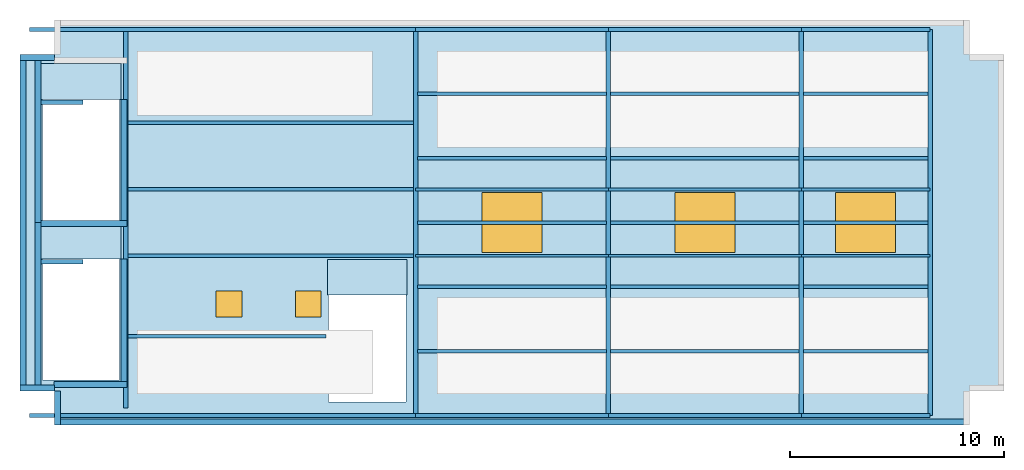
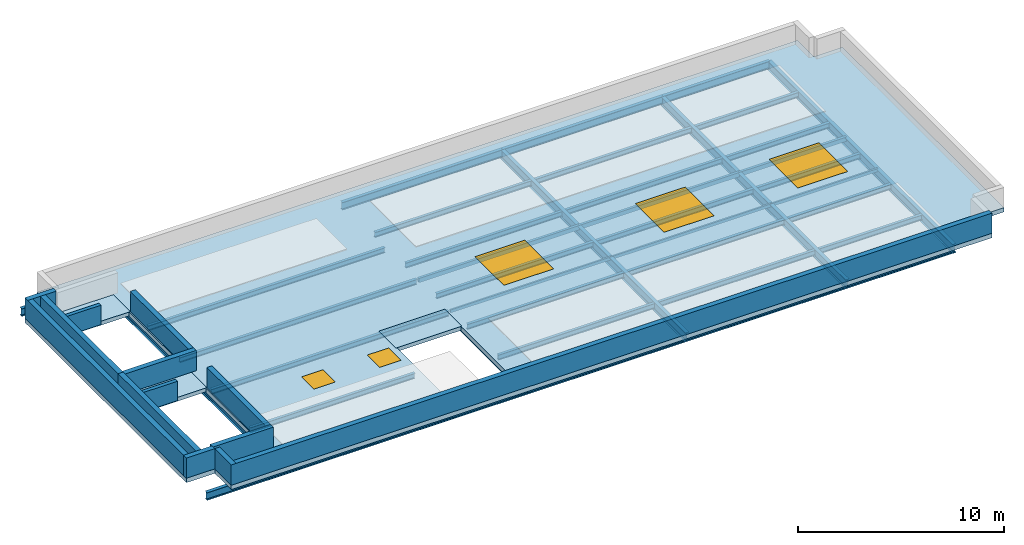
"""IFC4 building model written with IfcOpenShell, lengths in metres."""

from ifc_helpers import new_model, si_unit, direction, frame, frame_2d, origin, origin_2d, place, context, subcontext, project, spatial, polyline, rectangle, hollow_rectangle, i_section, outline, extrude, material, layer, layer_set, material_profile, profile_set, type_object, element, fill, save


model = new_model("IFC4")

# Units and contexts
model_context = context("Model", 3, precision=1e-05, world=origin(), true_north=direction((0.0, 1.0)))
body_context = subcontext(model_context, "Body", "Model", "MODEL_VIEW")
ifc_project = project(units=[si_unit("LENGTHUNIT", "METRE"), si_unit("AREAUNIT", "SQUARE_METRE"), si_unit("VOLUMEUNIT", "CUBIC_METRE"), si_unit("PLANEANGLEUNIT", "RADIAN"), si_unit("MASSUNIT", "GRAM", prefix="KILO")], contexts=[model_context])

# Site, building, storey
site_placement = place(None, origin())
site = spatial("IfcSite", under=ifc_project, at=site_placement, CompositionType="ELEMENT")
building_placement = place(site_placement, origin())
building = spatial("IfcBuilding", under=site, at=building_placement, Name="Mawjdan Bourse Tower", CompositionType="ELEMENT")
storey_1_placement = place(building_placement, frame((0.0, 0.0, 322.199951171875)))
storey_1 = spatial("IfcBuildingStorey", under=building, at=storey_1_placement, Name="RF", CompositionType="ELEMENT", Elevation=322.199951171875)

# Beams
ifc_material_1 = material(Name="Structural Steel S355", Category="steel")
ifc_material_profile_1 = material_profile(ifc_material_1, i_section(OverallWidth=0.2099609375, OverallDepth=0.537109375, WebThickness=0.010986328125, FlangeThickness=0.017333984375, FilletRadius=0.013916015625, at=origin_2d()), Name="W21X68")
ifc_profile_set_1 = profile_set([ifc_material_profile_1], Name="Structural Steel S355")
beam_type_1 = type_object("IfcBeamType", Name="GRD-W21X68", PredefinedType="BEAM", material=ifc_profile_set_1)
beam_1_placement = place(storey_1_placement, frame((10.47998046875, 3.35009765625, -0.528564453125), z_axis=(0.0, 1.0, 0.0), x_axis=(-1.0, 0.0, 0.0)))
element("IfcBeam", 1, at=beam_1_placement, inside=storey_1, type_object=beam_type_1, Name="RF Core Stair Trimmer Girder 001", PredefinedType="BEAM", context=body_context, shape_type="SweptSolid", body=[
    extrude(i_section(OverallWidth=0.2099609375, OverallDepth=0.537109375, WebThickness=0.010986328125, FlangeThickness=0.017333984375, FilletRadius=0.013916015625, at=origin_2d()), origin(), (0.0, 0.0, 1.0), 17.556884765625),
])
for number, where, z_axis, x_axis, name in (
    (2, (24.0, 3.0, -0.528564453125), (0.0, 1.0, 0.0), (-1.0, 0.0, 0.0), "RF RF Core East Edge Girder 002"),
    (3, (33.0, 3.0, -0.528564453125), (0.0, 1.0, 0.0), (-1.0, 0.0, 0.0), "RF East Wing Clear-Span Girder 005"),
    (4, (42.0, 3.0, -0.528564453125), (0.0, 1.0, 0.0), (-1.0, 0.0, 0.0), "RF East Wing Clear-Span Girder 006"),
    (5, (48.0, 3.0, -0.528564453125), (0.0, 1.0, 0.0), (-1.0, 0.0, 0.0), "RF East Wing Clear-Span Girder 007"),
):
    element("IfcBeam", number, at=place(storey_1_placement, frame(where, z_axis=z_axis, x_axis=x_axis)), inside=storey_1, type_object=beam_type_1, Name=name, PredefinedType="BEAM", context=body_context, shape_type="SweptSolid", body=[
        extrude(i_section(OverallWidth=0.2099609375, OverallDepth=0.537109375, WebThickness=0.010986328125, FlangeThickness=0.017333984375, FilletRadius=0.013916015625, at=origin_2d()), origin(), (0.0, 0.0, 1.0), 18.0),
    ])
ifc_material_profile_2 = material_profile(ifc_material_1, i_section(OverallWidth=0.1650390625, OverallDepth=0.31005859375, WebThickness=0.005859375, FlangeThickness=0.009765625, FilletRadius=0.0078125, at=origin_2d()), Name="W12X26")
ifc_profile_set_2 = profile_set([ifc_material_profile_2], Name="Structural Steel S355")
beam_type_2 = type_object("IfcBeamType", Name="JST-W12X26", PredefinedType="JOIST", material=ifc_profile_set_2)
for number, where, z_axis, x_axis, name in (
    (6, (24.10302734375, 6.0, -0.4150390625), (1.0, 0.0, 0.0), (0.0, 1.0, 0.0), "RF East Wing Composite Joist 014"),
    (7, (33.10302734375, 6.0, -0.4150390625), (1.0, 0.0, 0.0), (0.0, 1.0, 0.0), "RF East Wing Composite Joist 015"),
):
    element("IfcBeam", number, at=place(storey_1_placement, frame(where, z_axis=z_axis, x_axis=x_axis)), inside=storey_1, type_object=beam_type_2, Name=name, PredefinedType="JOIST", context=body_context, shape_type="SweptSolid", body=[
        extrude(i_section(OverallWidth=0.1650390625, OverallDepth=0.31005859375, WebThickness=0.005859375, FlangeThickness=0.009765625, FilletRadius=0.0078125, at=origin_2d()), origin(), (0.0, 0.0, 1.0), 8.7939453125),
    ])
beam_2_placement = place(storey_1_placement, frame((42.10302734375, 6.0, -0.4150390625), z_axis=(1.0, 0.0, 0.0), x_axis=(0.0, 1.0, 0.0)))
element("IfcBeam", 8, at=beam_2_placement, inside=storey_1, type_object=beam_type_2, Name="RF East Wing Composite Joist 016", PredefinedType="JOIST", context=body_context, shape_type="SweptSolid", body=[
    extrude(i_section(OverallWidth=0.1650390625, OverallDepth=0.31005859375, WebThickness=0.005859375, FlangeThickness=0.009765625, FilletRadius=0.0078125, at=origin_2d()), origin(), (0.0, 0.0, 1.0), 5.7939453125),
])
for number, where, z_axis, x_axis, name in (
    (9, (24.10302734375, 9.0, -0.4150390625), (1.0, 0.0, 0.0), (0.0, 1.0, 0.0), "RF East Wing Composite Joist 017"),
    (10, (33.10302734375, 9.0, -0.4150390625), (1.0, 0.0, 0.0), (0.0, 1.0, 0.0), "RF East Wing Composite Joist 018"),
):
    element("IfcBeam", number, at=place(storey_1_placement, frame(where, z_axis=z_axis, x_axis=x_axis)), inside=storey_1, type_object=beam_type_2, Name=name, PredefinedType="JOIST", context=body_context, shape_type="SweptSolid", body=[
        extrude(i_section(OverallWidth=0.1650390625, OverallDepth=0.31005859375, WebThickness=0.005859375, FlangeThickness=0.009765625, FilletRadius=0.0078125, at=origin_2d()), origin(), (0.0, 0.0, 1.0), 8.7939453125),
    ])
beam_3_placement = place(storey_1_placement, frame((42.10302734375, 9.0, -0.4150390625), z_axis=(1.0, 0.0, 0.0), x_axis=(0.0, 1.0, 0.0)))
element("IfcBeam", 11, at=beam_3_placement, inside=storey_1, type_object=beam_type_2, Name="RF East Wing Composite Joist 019", PredefinedType="JOIST", context=body_context, shape_type="SweptSolid", body=[
    extrude(i_section(OverallWidth=0.1650390625, OverallDepth=0.31005859375, WebThickness=0.005859375, FlangeThickness=0.009765625, FilletRadius=0.0078125, at=origin_2d()), origin(), (0.0, 0.0, 1.0), 5.7939453125),
])
for number, where, z_axis, x_axis, name in (
    (12, (24.10302734375, 12.0, -0.4150390625), (1.0, 0.0, 0.0), (0.0, 1.0, 0.0), "RF East Wing Composite Joist 020"),
    (13, (33.10302734375, 12.0, -0.4150390625), (1.0, 0.0, 0.0), (0.0, 1.0, 0.0), "RF East Wing Composite Joist 021"),
):
    element("IfcBeam", number, at=place(storey_1_placement, frame(where, z_axis=z_axis, x_axis=x_axis)), inside=storey_1, type_object=beam_type_2, Name=name, PredefinedType="JOIST", context=body_context, shape_type="SweptSolid", body=[
        extrude(i_section(OverallWidth=0.1650390625, OverallDepth=0.31005859375, WebThickness=0.005859375, FlangeThickness=0.009765625, FilletRadius=0.0078125, at=origin_2d()), origin(), (0.0, 0.0, 1.0), 8.7939453125),
    ])
beam_4_placement = place(storey_1_placement, frame((42.10302734375, 12.0, -0.4150390625), z_axis=(1.0, 0.0, 0.0), x_axis=(0.0, 1.0, 0.0)))
element("IfcBeam", 14, at=beam_4_placement, inside=storey_1, type_object=beam_type_2, Name="RF East Wing Composite Joist 022", PredefinedType="JOIST", context=body_context, shape_type="SweptSolid", body=[
    extrude(i_section(OverallWidth=0.1650390625, OverallDepth=0.31005859375, WebThickness=0.005859375, FlangeThickness=0.009765625, FilletRadius=0.0078125, at=origin_2d()), origin(), (0.0, 0.0, 1.0), 5.7939453125),
])
for number, where, z_axis, x_axis, name in (
    (15, (24.10302734375, 15.0, -0.4150390625), (1.0, 0.0, 0.0), (0.0, 1.0, 0.0), "RF East Wing Composite Joist 023"),
    (16, (33.10302734375, 15.0, -0.4150390625), (1.0, 0.0, 0.0), (0.0, 1.0, 0.0), "RF East Wing Composite Joist 024"),
):
    element("IfcBeam", number, at=place(storey_1_placement, frame(where, z_axis=z_axis, x_axis=x_axis)), inside=storey_1, type_object=beam_type_2, Name=name, PredefinedType="JOIST", context=body_context, shape_type="SweptSolid", body=[
        extrude(i_section(OverallWidth=0.1650390625, OverallDepth=0.31005859375, WebThickness=0.005859375, FlangeThickness=0.009765625, FilletRadius=0.0078125, at=origin_2d()), origin(), (0.0, 0.0, 1.0), 8.7939453125),
    ])
beam_5_placement = place(storey_1_placement, frame((42.10302734375, 15.0, -0.4150390625), z_axis=(1.0, 0.0, 0.0), x_axis=(0.0, 1.0, 0.0)))
element("IfcBeam", 17, at=beam_5_placement, inside=storey_1, type_object=beam_type_2, Name="RF East Wing Composite Joist 025", PredefinedType="JOIST", context=body_context, shape_type="SweptSolid", body=[
    extrude(i_section(OverallWidth=0.1650390625, OverallDepth=0.31005859375, WebThickness=0.005859375, FlangeThickness=0.009765625, FilletRadius=0.0078125, at=origin_2d()), origin(), (0.0, 0.0, 1.0), 5.7939453125),
])
for number, where, z_axis, x_axis, name in (
    (18, (24.10302734375, 18.0, -0.4150390625), (1.0, 0.0, 0.0), (0.0, 1.0, 0.0), "RF East Wing Composite Joist 026"),
    (19, (33.10302734375, 18.0, -0.4150390625), (1.0, 0.0, 0.0), (0.0, 1.0, 0.0), "RF East Wing Composite Joist 027"),
):
    element("IfcBeam", number, at=place(storey_1_placement, frame(where, z_axis=z_axis, x_axis=x_axis)), inside=storey_1, type_object=beam_type_2, Name=name, PredefinedType="JOIST", context=body_context, shape_type="SweptSolid", body=[
        extrude(i_section(OverallWidth=0.1650390625, OverallDepth=0.31005859375, WebThickness=0.005859375, FlangeThickness=0.009765625, FilletRadius=0.0078125, at=origin_2d()), origin(), (0.0, 0.0, 1.0), 8.7939453125),
    ])
beam_6_placement = place(storey_1_placement, frame((42.10302734375, 18.0, -0.4150390625), z_axis=(1.0, 0.0, 0.0), x_axis=(0.0, 1.0, 0.0)))
element("IfcBeam", 20, at=beam_6_placement, inside=storey_1, type_object=beam_type_2, Name="RF East Wing Composite Joist 028", PredefinedType="JOIST", context=body_context, shape_type="SweptSolid", body=[
    extrude(i_section(OverallWidth=0.1650390625, OverallDepth=0.31005859375, WebThickness=0.005859375, FlangeThickness=0.009765625, FilletRadius=0.0078125, at=origin_2d()), origin(), (0.0, 0.0, 1.0), 5.7939453125),
])
beam_7_placement = place(storey_1_placement, frame((10.5830078125, 6.699951171875, -0.4150390625), z_axis=(1.0, 0.0, 0.0), x_axis=(0.0, 1.0, 0.0)))
element("IfcBeam", 21, at=beam_7_placement, inside=storey_1, type_object=beam_type_2, Name="RF Core Floor Joist 029", PredefinedType="JOIST", context=body_context, shape_type="SweptSolid", body=[
    extrude(i_section(OverallWidth=0.1650390625, OverallDepth=0.31005859375, WebThickness=0.005859375, FlangeThickness=0.009765625, FilletRadius=0.0078125, at=origin_2d()), origin(), (0.0, 0.0, 1.0), 9.2470703125),
])
for number, where, z_axis, x_axis, name in (
    (22, (10.5830078125, 10.449951171875, -0.4150390625), (1.0, 0.0, 0.0), (0.0, 1.0, 0.0), "RF Core Floor Joist 030"),
    (23, (10.5830078125, 13.550048828125, -0.4150390625), (1.0, 0.0, 0.0), (0.0, 1.0, 0.0), "RF Core Floor Joist 031"),
    (24, (10.5830078125, 16.64990234375, -0.4150390625), (1.0, 0.0, 0.0), (0.0, 1.0, 0.0), "RF Core Floor Joist 032"),
):
    element("IfcBeam", number, at=place(storey_1_placement, frame(where, z_axis=z_axis, x_axis=x_axis)), inside=storey_1, type_object=beam_type_2, Name=name, PredefinedType="JOIST", context=body_context, shape_type="SweptSolid", body=[
        extrude(i_section(OverallWidth=0.1650390625, OverallDepth=0.31005859375, WebThickness=0.005859375, FlangeThickness=0.009765625, FilletRadius=0.0078125, at=origin_2d()), origin(), (0.0, 0.0, 1.0), 13.31396484375),
    ])

# Members
ifc_material_profile_3 = material_profile(ifc_material_1, hollow_rectangle(XDim=0.10009765625, YDim=0.179931640625, WallThickness=0.008056640625, at=origin_2d()), Name="HSS180X100X8")
ifc_profile_set_3 = profile_set([ifc_material_profile_3], Name="Structural Steel S355")
member_type_1 = type_object("IfcMemberType", Name="PRL-HSS180X100X8", PredefinedType="PURLIN", material=ifc_profile_set_3)
for number, where, z_axis, x_axis, name in (
    (25, (24.0, 10.449951171875, -0.349853515625), (1.0, 0.0, 0.0), (0.0, 1.0, 0.0), "RF Skylight Support Purlin 1"),
    (26, (33.0, 10.449951171875, -0.349853515625), (1.0, 0.0, 0.0), (0.0, 1.0, 0.0), "RF Skylight Support Purlin 2"),
):
    element("IfcMember", number, at=place(storey_1_placement, frame(where, z_axis=z_axis, x_axis=x_axis)), inside=storey_1, type_object=member_type_1, Name=name, PredefinedType="PURLIN", context=body_context, shape_type="SweptSolid", body=[
        extrude(hollow_rectangle(XDim=0.10009765625, YDim=0.179931640625, WallThickness=0.008056640625, at=origin_2d()), origin(), (0.0, 0.0, 1.0), 9.0),
    ])
member_1_placement = place(storey_1_placement, frame((42.0, 10.449951171875, -0.349853515625), z_axis=(1.0, 0.0, 0.0), x_axis=(0.0, 1.0, 0.0)))
element("IfcMember", 27, at=member_1_placement, inside=storey_1, type_object=member_type_1, Name="RF Skylight Support Purlin 3", PredefinedType="PURLIN", context=body_context, shape_type="SweptSolid", body=[
    extrude(hollow_rectangle(XDim=0.10009765625, YDim=0.179931640625, WallThickness=0.008056640625, at=origin_2d()), origin(), (0.0, 0.0, 1.0), 6.0),
])
ifc_material_profile_4 = material_profile(ifc_material_1, hollow_rectangle(XDim=0.14990234375, YDim=0.25, WallThickness=0.010009765625, at=origin_2d()), Name="HSS250X150X10")
ifc_profile_set_4 = profile_set([ifc_material_profile_4], Name="Structural Steel S355")
member_type_2 = type_object("IfcMemberType", Name="PRL-HSS250X150X10", PredefinedType="PURLIN", material=ifc_profile_set_4)
for number, where, z_axis, x_axis, name in (
    (28, (24.0, 13.550048828125, -0.385009765625), (1.0, 0.0, 0.0), (0.0, 1.0, 0.0), "RF Skylight Support Purlin 1"),
    (29, (33.0, 13.550048828125, -0.385009765625), (1.0, 0.0, 0.0), (0.0, 1.0, 0.0), "RF Skylight Support Purlin 2"),
):
    element("IfcMember", number, at=place(storey_1_placement, frame(where, z_axis=z_axis, x_axis=x_axis)), inside=storey_1, type_object=member_type_2, Name=name, PredefinedType="PURLIN", context=body_context, shape_type="SweptSolid", body=[
        extrude(hollow_rectangle(XDim=0.14990234375, YDim=0.25, WallThickness=0.010009765625, at=origin_2d()), origin(), (0.0, 0.0, 1.0), 9.0),
    ])
member_2_placement = place(storey_1_placement, frame((42.0, 13.550048828125, -0.385009765625), z_axis=(1.0, 0.0, 0.0), x_axis=(0.0, 1.0, 0.0)))
element("IfcMember", 30, at=member_2_placement, inside=storey_1, type_object=member_type_2, Name="RF Skylight Support Purlin 3", PredefinedType="PURLIN", context=body_context, shape_type="SweptSolid", body=[
    extrude(hollow_rectangle(XDim=0.14990234375, YDim=0.25, WallThickness=0.010009765625, at=origin_2d()), origin(), (0.0, 0.0, 1.0), 6.0),
])

# Beams
ifc_material_profile_5 = material_profile(ifc_material_1, i_section(OverallWidth=0.18994140625, OverallDepth=0.45703125, WebThickness=0.009033203125, FlangeThickness=0.014404296875, FilletRadius=0.01171875, at=origin_2d()), Name="W18X50")
ifc_profile_set_5 = profile_set([ifc_material_profile_5], Name="Structural Steel S355")
beam_type_3 = type_object("IfcBeamType", Name="SPN-W18X50", PredefinedType="SPANDREL", material=ifc_profile_set_5)
for number, where, z_axis, x_axis, name in (
    (31, (6.0, 3.0, -0.488525390625), (1.0, 0.0, 0.0), (0.0, 1.0, 0.0), "RF RF Core South Spandrel 003"),
    (32, (6.0, 21.0, -0.488525390625), (1.0, 0.0, 0.0), (0.0, 1.0, 0.0), "RF RF Core North Spandrel 004"),
):
    element("IfcBeam", number, at=place(storey_1_placement, frame(where, z_axis=z_axis, x_axis=x_axis)), inside=storey_1, type_object=beam_type_3, Name=name, PredefinedType="SPANDREL", context=body_context, shape_type="SweptSolid", body=[
        extrude(i_section(OverallWidth=0.18994140625, OverallDepth=0.45703125, WebThickness=0.009033203125, FlangeThickness=0.014404296875, FilletRadius=0.01171875, at=origin_2d()), origin(), (0.0, 0.0, 1.0), 18.0),
    ])
for number, where, z_axis, x_axis, name in (
    (33, (24.0, 3.0, -0.488525390625), (1.0, 0.0, 0.0), (0.0, 1.0, 0.0), "RF Perimeter Masonry-Shelf Spandrel 008"),
    (34, (33.0, 3.0, -0.488525390625), (1.0, 0.0, 0.0), (0.0, 1.0, 0.0), "RF Perimeter Masonry-Shelf Spandrel 009"),
):
    element("IfcBeam", number, at=place(storey_1_placement, frame(where, z_axis=z_axis, x_axis=x_axis)), inside=storey_1, type_object=beam_type_3, Name=name, PredefinedType="SPANDREL", context=body_context, shape_type="SweptSolid", body=[
        extrude(i_section(OverallWidth=0.18994140625, OverallDepth=0.45703125, WebThickness=0.009033203125, FlangeThickness=0.014404296875, FilletRadius=0.01171875, at=origin_2d()), origin(), (0.0, 0.0, 1.0), 9.0),
    ])
beam_8_placement = place(storey_1_placement, frame((42.0, 3.0, -0.488525390625), z_axis=(1.0, 0.0, 0.0), x_axis=(0.0, 1.0, 0.0)))
element("IfcBeam", 35, at=beam_8_placement, inside=storey_1, type_object=beam_type_3, Name="RF Perimeter Masonry-Shelf Spandrel 010", PredefinedType="SPANDREL", context=body_context, shape_type="SweptSolid", body=[
    extrude(i_section(OverallWidth=0.18994140625, OverallDepth=0.45703125, WebThickness=0.009033203125, FlangeThickness=0.014404296875, FilletRadius=0.01171875, at=origin_2d()), origin(), (0.0, 0.0, 1.0), 6.0),
])
for number, where, z_axis, x_axis, name in (
    (36, (24.0, 21.0, -0.488525390625), (1.0, 0.0, 0.0), (0.0, 1.0, 0.0), "RF Perimeter Masonry-Shelf Spandrel 011"),
    (37, (33.0, 21.0, -0.488525390625), (1.0, 0.0, 0.0), (0.0, 1.0, 0.0), "RF Perimeter Masonry-Shelf Spandrel 012"),
):
    element("IfcBeam", number, at=place(storey_1_placement, frame(where, z_axis=z_axis, x_axis=x_axis)), inside=storey_1, type_object=beam_type_3, Name=name, PredefinedType="SPANDREL", context=body_context, shape_type="SweptSolid", body=[
        extrude(i_section(OverallWidth=0.18994140625, OverallDepth=0.45703125, WebThickness=0.009033203125, FlangeThickness=0.014404296875, FilletRadius=0.01171875, at=origin_2d()), origin(), (0.0, 0.0, 1.0), 9.0),
    ])
beam_9_placement = place(storey_1_placement, frame((42.0, 21.0, -0.488525390625), z_axis=(1.0, 0.0, 0.0), x_axis=(0.0, 1.0, 0.0)))
element("IfcBeam", 38, at=beam_9_placement, inside=storey_1, type_object=beam_type_3, Name="RF Perimeter Masonry-Shelf Spandrel 013", PredefinedType="SPANDREL", context=body_context, shape_type="SweptSolid", body=[
    extrude(i_section(OverallWidth=0.18994140625, OverallDepth=0.45703125, WebThickness=0.009033203125, FlangeThickness=0.014404296875, FilletRadius=0.01171875, at=origin_2d()), origin(), (0.0, 0.0, 1.0), 6.0),
])

# Slabs
ifc_material_2 = material(Name="Concrete C50/60", Category="concrete")
ifc_layer_1 = layer(ifc_material_2, 0.22998046875)
ifc_layer_set_1 = layer_set([ifc_layer_1], Name="Concrete C50/60")
slab_type_1 = type_object("IfcSlabType", Name="SL-LND-230", PredefinedType="LANDING", material=ifc_layer_set_1)
slab_1_placement = place(storey_1_placement, frame((0.0, 0.0, -0.22998046875)))
element("IfcSlab", 39, at=slab_1_placement, inside=storey_1, type_object=slab_type_1, Name="RF ST1 Top Arrival Landing", PredefinedType="LANDING", context=body_context, shape_type="SweptSolid", body=[
    extrude(outline(polyline([(6.5400390625, 10.31005859375), (10.260009765625, 10.31005859375), (10.260009765625, 11.969970703125), (6.5400390625, 11.969970703125), (6.5400390625, 10.31005859375)])), origin(), (0.0, 0.0, 1.0), 0.22998046875),
])
slab_2_placement = place(storey_1_placement, frame((0.0, 0.0, -0.22998046875)))
element("IfcSlab", 40, at=slab_2_placement, inside=storey_1, type_object=slab_type_1, Name="RF ST2 Top Arrival Landing", PredefinedType="LANDING", context=body_context, shape_type="SweptSolid", body=[
    extrude(outline(polyline([(6.5400390625, 17.75), (10.260009765625, 17.75), (10.260009765625, 19.409912109375), (6.5400390625, 19.409912109375), (6.5400390625, 17.75)])), origin(), (0.0, 0.0, 1.0), 0.22998046875),
])
slab_3_placement = place(storey_1_placement, frame((0.0, 0.0, -0.22998046875)))
element("IfcSlab", 41, at=slab_3_placement, inside=storey_1, type_object=slab_type_1, Name="RF ST7 Top Arrival Landing", PredefinedType="LANDING", context=body_context, shape_type="SweptSolid", body=[
    extrude(outline(polyline([(19.889892578125, 8.6201171875), (23.610107421875, 8.6201171875), (23.610107421875, 10.280029296875), (19.889892578125, 10.280029296875), (19.889892578125, 8.6201171875)])), origin(), (0.0, 0.0, 1.0), 0.22998046875),
])

# Slab, openings
ifc_layer_2 = layer(ifc_material_2, 0.260009765625)
ifc_layer_set_2 = layer_set([ifc_layer_2], Name="Concrete C50/60")
slab_type_2 = type_object("IfcSlabType", Name="SL-ROOF-260", PredefinedType="ROOF", material=ifc_layer_set_2)
slab_4_placement = place(storey_1_placement, frame((0.0, 0.0, -0.260009765625)))
slab_4 = element("IfcSlab", 42, at=slab_4_placement, inside=storey_1, type_object=slab_type_2, Name="RF Lantern Crown Roof Slab", PredefinedType="ROOF", context=body_context, shape_type="SweptSolid", body=[
    extrude(outline(polyline([(7.14990234375, 2.550048828125), (49.85009765625, 2.550048828125), (49.85009765625, 4.14990234375), (51.449951171875, 4.14990234375), (51.449951171875, 19.85009765625), (49.85009765625, 19.85009765625), (49.85009765625, 21.449951171875), (7.14990234375, 21.449951171875), (7.14990234375, 19.85009765625), (5.550048828125, 19.85009765625), (5.550048828125, 4.14990234375), (7.14990234375, 4.14990234375), (7.14990234375, 2.550048828125)]), holes=[polyline([(19.889892578125, 8.6201171875), (19.889892578125, 10.280029296875), (23.610107421875, 10.280029296875), (23.610107421875, 8.6201171875), (23.550048828125, 8.6201171875), (23.550048828125, 3.6201171875), (19.949951171875, 3.6201171875), (19.949951171875, 8.6201171875), (19.889892578125, 8.6201171875)]), polyline([(10.199951171875, 4.64990234375), (6.60009765625, 4.64990234375), (6.60009765625, 10.31005859375), (6.5400390625, 10.31005859375), (6.5400390625, 11.969970703125), (10.260009765625, 11.969970703125), (10.260009765625, 10.31005859375), (10.199951171875, 10.31005859375), (10.199951171875, 4.64990234375)]), polyline([(6.5400390625, 19.409912109375), (10.260009765625, 19.409912109375), (10.260009765625, 17.75), (10.199951171875, 17.75), (10.199951171875, 12.090087890625), (6.60009765625, 12.090087890625), (6.60009765625, 17.75), (6.5400390625, 17.75), (6.5400390625, 19.409912109375)])]), origin(), (0.0, 0.0, 1.0), 0.260009765625),
])
opening_1_placement = place(slab_4_placement, frame((28.5, 12.0, 0.0)))
opening_1 = element("IfcOpeningElement", 43, at=opening_1_placement, cuts=slab_4, Name="Opening SKL-RF-01", PredefinedType="OPENING", context=body_context, shape_type="SweptSolid", body=[
    extrude(rectangle(XDim=2.800048828125, YDim=2.800048828125, at=origin_2d()), frame((0.0, 0.0, -0.010009765625)), (0.0, 0.0, 1.0), 0.280029296875),
])
opening_2_placement = place(slab_4_placement, frame((37.5, 12.0, 0.0)))
opening_2 = element("IfcOpeningElement", 44, at=opening_2_placement, cuts=slab_4, Name="Opening SKL-RF-02", PredefinedType="OPENING", context=body_context, shape_type="SweptSolid", body=[
    extrude(rectangle(XDim=2.800048828125, YDim=2.800048828125, at=origin_2d()), frame((0.0, 0.0, -0.010009765625)), (0.0, 0.0, 1.0), 0.280029296875),
])
opening_3_placement = place(slab_4_placement, frame((45.0, 12.0, 0.0)))
opening_3 = element("IfcOpeningElement", 45, at=opening_3_placement, cuts=slab_4, Name="Opening SKL-RF-03", PredefinedType="OPENING", context=body_context, shape_type="SweptSolid", body=[
    extrude(rectangle(XDim=2.800048828125, YDim=2.800048828125, at=origin_2d()), frame((0.0, 0.0, -0.010009765625)), (0.0, 0.0, 1.0), 0.280029296875),
])
opening_4_placement = place(slab_4_placement, frame((15.300048828125, 8.199951171875, 0.0)))
opening_4 = element("IfcOpeningElement", 46, at=opening_4_placement, cuts=slab_4, Name="Opening HTC-RF-01", PredefinedType="OPENING", context=body_context, shape_type="SweptSolid", body=[
    extrude(rectangle(XDim=1.199951171875, YDim=1.199951171875, at=origin_2d()), frame((0.0, 0.0, -0.010009765625)), (0.0, 0.0, 1.0), 0.280029296875),
])
opening_5_placement = place(slab_4_placement, frame((19.0, 8.199951171875, 0.0)))
opening_5 = element("IfcOpeningElement", 47, at=opening_5_placement, cuts=slab_4, Name="Opening HTC-RF-02", PredefinedType="OPENING", context=body_context, shape_type="SweptSolid", body=[
    extrude(rectangle(XDim=1.199951171875, YDim=1.199951171875, at=origin_2d()), frame((0.0, 0.0, -0.010009765625)), (0.0, 0.0, 1.0), 0.280029296875),
])

# Storey
storey_2_placement = place(building_placement, frame((0.0, 0.0, 317.699951171875)))
storey_2 = spatial("IfcBuildingStorey", under=building, at=storey_2_placement, Name="L78", CompositionType="ELEMENT", Elevation=317.699951171875)

# Window
ifc_material_3 = material(Name="Laminated Lantern Roof Skylight Glass", Category="glass")
window_type_1 = type_object("IfcWindowType", Name="SKL-CRN-2800", PartitioningType="SINGLE_PANEL", PredefinedType="SKYLIGHT", material=ifc_material_3)
window_1_placement = place(opening_1_placement, frame((0.0, 0.0, 0.2099609375)))
window_1 = element("IfcWindow", 48, at=window_1_placement, inside=storey_2, type_object=window_type_1, Name="L78 Crown Lantern Skylight 1", OverallHeight=2.800048828125, OverallWidth=2.800048828125, PartitioningType="SINGLE_PANEL", PredefinedType="SKYLIGHT", context=body_context, shape_type="SweptSolid", body=[
    extrude(rectangle(XDim=2.800048828125, YDim=2.800048828125, at=origin_2d()), origin(), (0.0, 0.0, 1.0), 0.050048828125),
])

fill(opening_1, window_1)

window_2_placement = place(opening_2_placement, frame((0.0, 0.0, 0.2099609375)))
window_2 = element("IfcWindow", 49, at=window_2_placement, inside=storey_2, type_object=window_type_1, Name="L78 Crown Lantern Skylight 2", OverallHeight=2.800048828125, OverallWidth=2.800048828125, PartitioningType="SINGLE_PANEL", PredefinedType="SKYLIGHT", context=body_context, shape_type="SweptSolid", body=[
    extrude(rectangle(XDim=2.800048828125, YDim=2.800048828125, at=origin_2d()), origin(), (0.0, 0.0, 1.0), 0.050048828125),
])

fill(opening_2, window_2)

window_3_placement = place(opening_3_placement, frame((0.0, 0.0, 0.2099609375)))
window_3 = element("IfcWindow", 50, at=window_3_placement, inside=storey_2, type_object=window_type_1, Name="L78 Crown Lantern Skylight 3", OverallHeight=2.800048828125, OverallWidth=2.800048828125, PartitioningType="SINGLE_PANEL", PredefinedType="SKYLIGHT", context=body_context, shape_type="SweptSolid", body=[
    extrude(rectangle(XDim=2.800048828125, YDim=2.800048828125, at=origin_2d()), origin(), (0.0, 0.0, 1.0), 0.050048828125),
])

fill(opening_3, window_3)

ifc_material_4 = material(Name="Insulated Aluminium Roof Hatch", Category="aluminium")
window_type_2 = type_object("IfcWindowType", Name="SKL-HTC-1200", PartitioningType="SINGLE_PANEL", PredefinedType="SKYLIGHT", material=ifc_material_4)
window_4_placement = place(opening_4_placement, frame((0.0, 0.0, 0.2099609375)))
window_4 = element("IfcWindow", 51, at=window_4_placement, inside=storey_2, type_object=window_type_2, Name="L78 Core Riser Roof Access Hatch", OverallHeight=1.199951171875, OverallWidth=1.199951171875, PartitioningType="SINGLE_PANEL", PredefinedType="SKYLIGHT", context=body_context, shape_type="SweptSolid", body=[
    extrude(rectangle(XDim=1.199951171875, YDim=1.199951171875, at=origin_2d()), origin(), (0.0, 0.0, 1.0), 0.050048828125),
])

fill(opening_4, window_4)

window_5_placement = place(opening_5_placement, frame((0.0, 0.0, 0.2099609375)))
window_5 = element("IfcWindow", 52, at=window_5_placement, inside=storey_2, type_object=window_type_2, Name="L78 Crown Plant Roof Access Hatch", OverallHeight=1.199951171875, OverallWidth=1.199951171875, PartitioningType="SINGLE_PANEL", PredefinedType="SKYLIGHT", context=body_context, shape_type="SweptSolid", body=[
    extrude(rectangle(XDim=1.199951171875, YDim=1.199951171875, at=origin_2d()), origin(), (0.0, 0.0, 1.0), 0.050048828125),
])

fill(opening_5, window_5)

# Walls
ifc_material_5 = material(Name="Brick Masonry Buff", Category="masonry")
ifc_layer_3 = layer(ifc_material_5, 0.280029296875)
ifc_layer_set_3 = layer_set([ifc_layer_3], Name="Brick Masonry Buff")
wall_type = type_object("IfcWallType", Name="WL-PRP-280", PredefinedType="PARAPET", material=ifc_layer_set_3)
wall_1_placement = place(storey_1_placement, frame((7.14990234375, 2.68994140625, 0.0), z_axis=(0.0, 0.0, 1.0), x_axis=(1.0, 0.0, 0.0)))
element("IfcWall", 53, at=wall_1_placement, inside=storey_1, type_object=wall_type, Name="RF Crown Roof Parapet 1", PredefinedType="PARAPET", context=body_context, shape_type="SweptSolid", body=[
    extrude(rectangle(XDim=42.7001953125, YDim=0.280029296875, at=frame_2d((21.35009765625, 0.0))), origin(), (0.0, 0.0, 1.0), 1.199951171875),
])
wall_2_placement = place(storey_1_placement, frame((7.14990234375, 19.7099609375, 0.0), z_axis=(0.0, 0.0, 1.0), x_axis=(-1.0, 0.0, 0.0)))
element("IfcWall", 54, at=wall_2_placement, inside=storey_1, type_object=wall_type, Name="RF Crown Roof Parapet 9", PredefinedType="PARAPET", context=body_context, shape_type="SweptSolid", body=[
    extrude(rectangle(XDim=1.599853515625, YDim=0.280029296875, at=frame_2d((0.7998046875, 0.0))), origin(), (0.0, 0.0, 1.0), 1.199951171875),
])
wall_3_placement = place(storey_1_placement, frame((5.68994140625, 19.85009765625, 0.0), z_axis=(0.0, 0.0, 1.0), x_axis=(0.0, -1.0, 0.0)))
element("IfcWall", 55, at=wall_3_placement, inside=storey_1, type_object=wall_type, Name="RF Crown Roof Parapet 10", PredefinedType="PARAPET", context=body_context, shape_type="SweptSolid", body=[
    extrude(rectangle(XDim=15.7001953125, YDim=0.280029296875, at=frame_2d((7.85009765625, 0.0))), origin(), (0.0, 0.0, 1.0), 1.199951171875),
])
for number, where, z_axis, x_axis, name in (
    (56, (5.550048828125, 4.2900390625, 0.0), (0.0, 0.0, 1.0), (1.0, 0.0, 0.0), "RF Crown Roof Parapet 11"),
    (57, (7.2900390625, 4.14990234375, 0.0), (0.0, 0.0, 1.0), (0.0, -1.0, 0.0), "RF Crown Roof Parapet 12"),
):
    element("IfcWall", number, at=place(storey_1_placement, frame(where, z_axis=z_axis, x_axis=x_axis)), inside=storey_1, type_object=wall_type, Name=name, PredefinedType="PARAPET", context=body_context, shape_type="SweptSolid", body=[
        extrude(rectangle(XDim=1.599853515625, YDim=0.280029296875, at=frame_2d((0.7998046875, 0.0))), origin(), (0.0, 0.0, 1.0), 1.199951171875),
    ])
wall_4_placement = place(storey_1_placement, frame((6.39990234375, 4.409912109375, 0.0), z_axis=(0.0, 0.0, 1.0), x_axis=(0.0, 1.0, 0.0)))
element("IfcWall", 58, at=wall_4_placement, inside=storey_1, type_object=wall_type, Name="RF ST1 Stairwell West Roof Guard Parapet", PredefinedType="PARAPET", context=body_context, shape_type="SweptSolid", body=[
    extrude(rectangle(XDim=7.590087890625, YDim=0.280029296875, at=frame_2d((3.794921875, 0.0))), origin(), (0.0, 0.0, 1.0), 1.199951171875),
])
wall_5_placement = place(storey_1_placement, frame((7.1298828125, 4.449951171875, 0.0), z_axis=(0.0, 0.0, 1.0), x_axis=(1.0, 0.0, 0.0)))
element("IfcWall", 59, at=wall_5_placement, inside=storey_1, type_object=wall_type, Name="RF ST1 Stairwell South Roof Guard Parapet", PredefinedType="PARAPET", context=body_context, shape_type="SweptSolid", body=[
    extrude(rectangle(XDim=3.41015625, YDim=0.280029296875, at=frame_2d((1.705078125, 0.0))), origin(), (0.0, 0.0, 1.0), 1.199951171875),
])
wall_6_placement = place(storey_1_placement, frame((6.5400390625, 11.949951171875, 0.0), z_axis=(0.0, 0.0, 1.0), x_axis=(1.0, 0.0, 0.0)))
element("IfcWall", 60, at=wall_6_placement, inside=storey_1, type_object=wall_type, Name="RF ST1 Stairwell North Roof Guard Parapet", PredefinedType="PARAPET", context=body_context, shape_type="SweptSolid", body=[
    extrude(rectangle(XDim=4.0, YDim=0.280029296875, at=frame_2d((2.0, 0.0))), origin(), (0.0, 0.0, 1.0), 1.199951171875),
])
wall_7_placement = place(storey_1_placement, frame((10.39990234375, 4.449951171875, 0.0), z_axis=(0.0, 0.0, 1.0), x_axis=(0.0, 1.0, 0.0)))
element("IfcWall", 61, at=wall_7_placement, inside=storey_1, type_object=wall_type, Name="RF ST1 Stairwell East Drop Parapet", PredefinedType="PARAPET", context=body_context, shape_type="SweptSolid", body=[
    extrude(rectangle(XDim=5.860107421875, YDim=0.280029296875, at=frame_2d((2.93017578125, 0.0))), origin(), (0.0, 0.0, 1.0), 1.199951171875),
])
wall_8_placement = place(storey_1_placement, frame((6.5400390625, 10.169921875, 0.0), z_axis=(0.0, 0.0, 1.0), x_axis=(1.0, 0.0, 0.0)))
element("IfcWall", 62, at=wall_8_placement, inside=storey_1, type_object=wall_type, Name="RF ST1 Top Landing Well Parapet", PredefinedType="PARAPET", context=body_context, shape_type="SweptSolid", body=[
    extrude(rectangle(XDim=1.93994140625, YDim=0.199951171875, at=frame_2d((0.969970703125, 0.0))), origin(), (0.0, 0.0, 1.0), 1.150146484375),
])
wall_9_placement = place(storey_1_placement, frame((6.39990234375, 12.0, 0.0), z_axis=(0.0, 0.0, 1.0), x_axis=(0.0, 1.0, 0.0)))
element("IfcWall", 63, at=wall_9_placement, inside=storey_1, type_object=wall_type, Name="RF ST2 Stairwell West Roof Guard Parapet", PredefinedType="PARAPET", context=body_context, shape_type="SweptSolid", body=[
    extrude(rectangle(XDim=7.590087890625, YDim=0.280029296875, at=frame_2d((3.794921875, 0.0))), origin(), (0.0, 0.0, 1.0), 1.199951171875),
])
wall_10_placement = place(storey_1_placement, frame((10.39990234375, 11.949951171875, 0.0), z_axis=(0.0, 0.0, 1.0), x_axis=(0.0, 1.0, 0.0)))
element("IfcWall", 64, at=wall_10_placement, inside=storey_1, type_object=wall_type, Name="RF ST2 Stairwell East Drop Parapet", PredefinedType="PARAPET", context=body_context, shape_type="SweptSolid", body=[
    extrude(rectangle(XDim=5.800048828125, YDim=0.280029296875, at=frame_2d((2.89990234375, 0.0))), origin(), (0.0, 0.0, 1.0), 1.199951171875),
])
wall_11_placement = place(storey_1_placement, frame((6.5400390625, 17.610107421875, 0.0), z_axis=(0.0, 0.0, 1.0), x_axis=(1.0, 0.0, 0.0)))
element("IfcWall", 65, at=wall_11_placement, inside=storey_1, type_object=wall_type, Name="RF ST2 Top Landing Well Parapet", PredefinedType="PARAPET", context=body_context, shape_type="SweptSolid", body=[
    extrude(rectangle(XDim=1.93994140625, YDim=0.199951171875, at=frame_2d((0.969970703125, 0.0))), origin(), (0.0, 0.0, 1.0), 1.150146484375),
])

save(model, "model.ifc")
